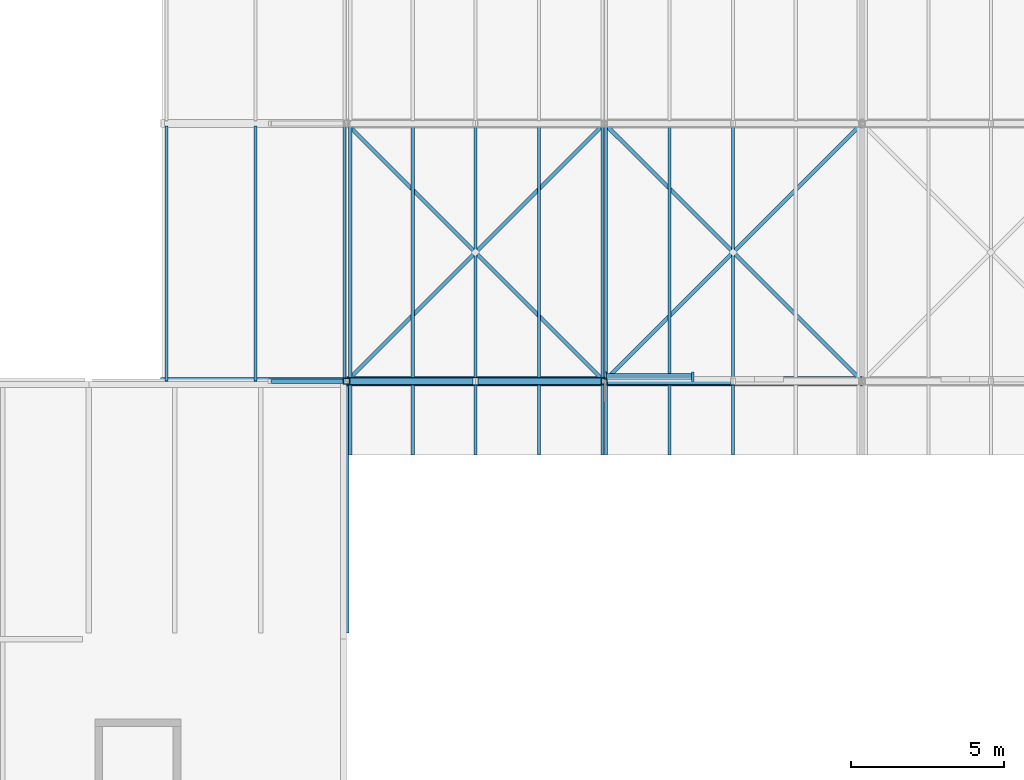
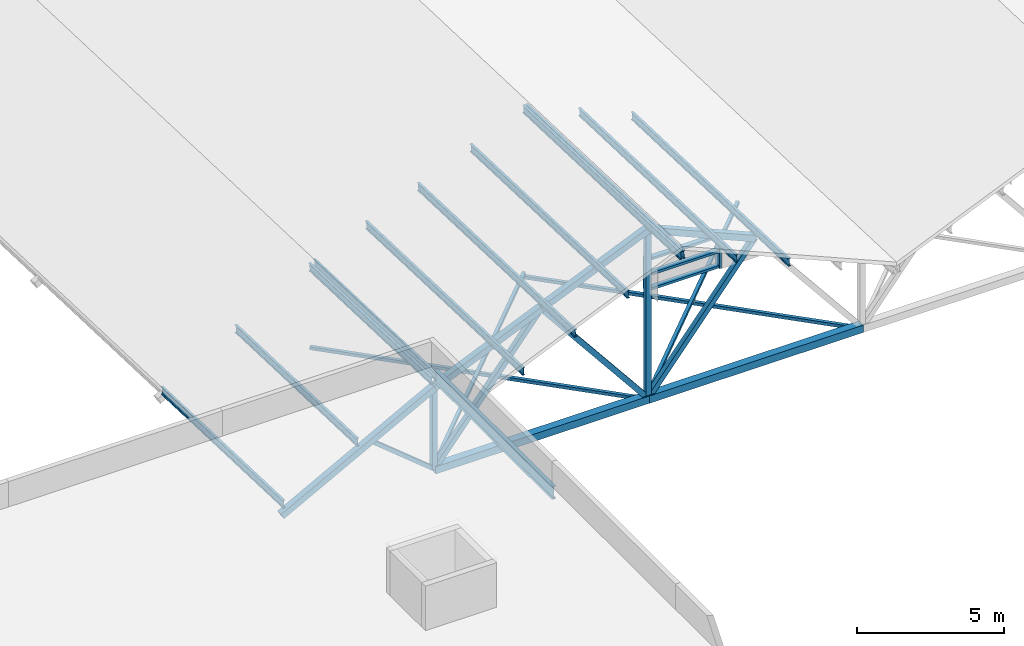
# One storey, part 9 of 76: 18 beams, 15 members, 1 element without a shape of its own.
"""IFC4 building model written with IfcOpenShell, lengths in metres."""

import ifcopenshell
import ifcopenshell.guid

model = None  # the IFC model being written
_history = None  # IfcOwnerHistory: only IFC2X3 demands one
_inside = {}  # id of a spatial element -> (the spatial element, [elements in it])
_under = {}  # id of a project, library or spatial element -> (it, [spatial elements below it])
_declared = {}  # id of a project -> (the project, [libraries it declares])
_typed = {}  # id of a type object -> (the type object, [elements of that type])
_made_of = {}  # id of a material, layer set ... -> (it, [elements and type objects made of it])


def new_model(schema):
    """Start an empty IFC model of exactly this schema.

    Asked for "IFC4X3", IfcOpenShell would pick the latest addendum, in which some entities
    have other attributes; the version numbers below select the first issue.
    IFC2X3 requires an IfcOwnerHistory on every rooted entity: one is made here for all.
    """
    global model, _history
    if schema == "IFC4X3":
        model = ifcopenshell.file(schema_version=(4, 3, 0, 0))
    else:
        model = ifcopenshell.file(schema=schema)
    _inside.clear()
    _under.clear()
    _declared.clear()
    _typed.clear()
    _made_of.clear()
    _history = None
    if model.schema == "IFC2X3":
        org = make("IfcOrganization", Name="unknown")
        user = make(
            "IfcPersonAndOrganization",
            ThePerson=make("IfcPerson", FamilyName="unknown"),
            TheOrganization=org,
        )
        app = make(
            "IfcApplication",
            ApplicationDeveloper=org,
            Version="unknown",
            ApplicationFullName="unknown",
            ApplicationIdentifier="unknown",
        )
        _history = make(
            "IfcOwnerHistory",
            OwningUser=user,
            OwningApplication=app,
            ChangeAction="ADDED",
            CreationDate=0,
        )
    return model


def make(cls, **values):
    """One entity of the class cls with the attributes given. An attribute that is None is left unset."""
    return model.create_entity(
        cls, **{name: value for name, value in values.items() if value is not None}
    )


def rooted(cls, **values):
    """An entity with a GlobalId (a new one), such as an element, a storey or a relation."""
    return make(cls, GlobalId=ifcopenshell.guid.new(), OwnerHistory=_history, **values)


def si_unit(unit_type, name, prefix=None):
    """IfcSIUnit, for example si_unit("LENGTHUNIT", "METRE", prefix="MILLI")."""
    return make("IfcSIUnit", UnitType=unit_type, Prefix=prefix, Name=name)


def assignment(units):
    """IfcUnitAssignment: the units of a project."""
    return None if units is None else make("IfcUnitAssignment", Units=units)


def point(xyz):
    """IfcCartesianPoint."""
    return None if xyz is None else make("IfcCartesianPoint", Coordinates=xyz)


def direction(xyz):
    """IfcDirection."""
    return None if xyz is None else make("IfcDirection", DirectionRatios=xyz)


def frame(location, z_axis=None, x_axis=None):
    """IfcAxis2Placement3D, a coordinate frame: its origin and axes. An axis left out is left unset."""
    return make(
        "IfcAxis2Placement3D",
        Location=point(location),
        Axis=direction(z_axis),
        RefDirection=direction(x_axis),
    )


def frame_2d(location, x_axis=None):
    """IfcAxis2Placement2D, a coordinate frame in the plane: its origin and x axis."""
    return make(
        "IfcAxis2Placement2D", Location=point(location), RefDirection=direction(x_axis)
    )


def origin():
    """The frame at (0, 0, 0) with its axes left unset."""
    return frame((0.0, 0.0, 0.0))


def origin_2d():
    """The frame at (0, 0) in the plane with its x axis left unset."""
    return frame_2d((0.0, 0.0))


def place(relative_to, where):
    """IfcLocalPlacement: puts the frame where relative to a parent placement (None: the world)."""
    return make(
        "IfcLocalPlacement", PlacementRelTo=relative_to, RelativePlacement=where
    )


def context(
    kind, dimensions, precision=None, world=None, true_north=None, identifier=None
):
    """IfcGeometricRepresentationContext, for example the 3D "Model" context."""
    return make(
        "IfcGeometricRepresentationContext",
        ContextIdentifier=identifier,
        ContextType=kind,
        CoordinateSpaceDimension=dimensions,
        Precision=precision,
        WorldCoordinateSystem=world,
        TrueNorth=true_north,
    )


def subcontext(parent, identifier, kind, view, scale=None):
    """IfcGeometricRepresentationSubContext, for example "Body" below "Model"."""
    return make(
        "IfcGeometricRepresentationSubContext",
        ContextIdentifier=identifier,
        ContextType=kind,
        ParentContext=parent,
        TargetScale=scale,
        TargetView=view,
    )


def project(units=None, contexts=None):
    """IfcProject with its units and contexts."""
    return rooted(
        "IfcProject",
        Name="project",
        RepresentationContexts=contexts,
        UnitsInContext=assignment(units),
    )


def spatial(cls, under=None, at=None, **own):
    """A site, building, storey or space (cls), placed at a placement, below another one or the project."""
    s = rooted(cls, ObjectPlacement=at, **own)
    if under is not None:
        _under.setdefault(under.id(), (under, []))[1].append(s)
    return s


def profile(cls, at=None, kind="AREA", **sizes):
    """A parametric profile (cls). Its sizes go by their IFC names, for example OverallWidth=200.0."""
    return make(cls, ProfileType=kind, Position=at, **sizes)


def rectangle(**sizes):
    """IfcRectangleProfileDef."""
    return profile("IfcRectangleProfileDef", **sizes)


def hollow_rectangle(**sizes):
    """IfcRectangleHollowProfileDef."""
    return profile("IfcRectangleHollowProfileDef", **sizes)


def i_section(**sizes):
    """IfcIShapeProfileDef."""
    return profile("IfcIShapeProfileDef", **sizes)


def extrude(swept, where, along, depth):
    """IfcExtrudedAreaSolid: the profile swept, set in the frame where, extruded along a direction by depth."""
    return make(
        "IfcExtrudedAreaSolid",
        SweptArea=swept,
        Position=where,
        ExtrudedDirection=direction(along),
        Depth=depth,
    )


def shape(context_of_items, identifier, shape_type, items):
    """IfcShapeRepresentation: the items that make up one representation, for example the "Body"."""
    return make(
        "IfcShapeRepresentation",
        ContextOfItems=context_of_items,
        RepresentationIdentifier=identifier,
        RepresentationType=shape_type,
        Items=items,
    )


def material(Name=None, Category=None):
    """IfcMaterial."""
    return make("IfcMaterial", Name=Name, Category=Category)


def material_profile(
    of_material, cross_section, Name=None, Category=None, Priority=None
):
    """IfcMaterialProfile: a cross section and its material."""
    return make(
        "IfcMaterialProfile",
        Name=Name,
        Material=of_material,
        Profile=cross_section,
        Priority=Priority,
        Category=Category,
    )


def profile_set(profiles, Name=None, composite=None):
    """IfcMaterialProfileSet."""
    return make(
        "IfcMaterialProfileSet",
        Name=Name,
        MaterialProfiles=profiles,
        CompositeProfile=composite,
    )


def made_of(thing, what):
    """Note that an element or type object is made of a material, layer set ...; save() writes the relation."""
    if what is not None:
        _made_of.setdefault(what.id(), (what, []))[1].append(thing)
    return thing


def type_object(cls, material=None, **own):
    """A type object (cls), such as IfcWallType, which elements share."""
    return made_of(rooted(cls, **own), material)


def element(
    cls,
    number,
    at=None,
    inside=None,
    cuts=None,
    type_object=None,
    material=None,
    context=None,
    identifier="Body",
    shape_type=None,
    held_by="IfcProductDefinitionShape",
    body=None,
    shapes=None,
    **own,
):
    """One element of the class cls, such as IfcWall. Its Tag is "e" and its number.

    at: its placement. inside: the storey or other place that contains it. cuts: it is an
    opening in that element (IfcRelVoidsElement). A single representation is given by context,
    identifier, shape_type and body (its items); several are given by shapes. held_by: the class
    of the entity that holds the representations. save() writes the other relations.
    """
    e = rooted(cls, Tag="e%d" % number, ObjectPlacement=at, **own)
    if body is not None:
        shapes = [shape(context, identifier, shape_type, body)]
    if shapes is not None:
        e.Representation = make(held_by, Representations=shapes)
    if inside is not None:
        _inside.setdefault(inside.id(), (inside, []))[1].append(e)
    if cuts is not None:
        rooted(
            "IfcRelVoidsElement", RelatingBuildingElement=cuts, RelatedOpeningElement=e
        )
    if type_object is not None:
        _typed.setdefault(type_object.id(), (type_object, []))[1].append(e)
    return made_of(e, material)


def aggregate(whole, parts):
    """IfcRelAggregates: a whole, such as a stair, and the parts it consists of."""
    return rooted("IfcRelAggregates", RelatingObject=whole, RelatedObjects=parts)


def save(model, path):
    """Write the relations noted so far, then the file.

    IfcRelAggregates (storeys below a building ...), IfcRelContainedInSpatialStructure (elements
    in a storey), IfcRelDefinesByType, IfcRelAssociatesMaterial and IfcRelDeclares: one each for
    every whole, place, type object, material and project.
    """
    for whole, parts in _under.values():
        aggregate(whole, parts)
    for where, things in _inside.values():
        rooted(
            "IfcRelContainedInSpatialStructure",
            RelatedElements=things,
            RelatingStructure=where,
        )
    for kind, things in _typed.values():
        rooted("IfcRelDefinesByType", RelatedObjects=things, RelatingType=kind)
    for what, things in _made_of.values():
        rooted("IfcRelAssociatesMaterial", RelatedObjects=things, RelatingMaterial=what)
    for by, libraries in _declared.values():
        rooted("IfcRelDeclares", RelatingContext=by, RelatedDefinitions=libraries)
    model.write(path)


model = new_model("IFC4")

# Units and contexts
model_context = context("Model", 3, precision=1e-05, world=origin(), true_north=direction((0.0, 1.0)))
body_context = subcontext(model_context, "Body", "Model", "MODEL_VIEW")
ifc_project = project(units=[si_unit("LENGTHUNIT", "METRE"), si_unit("AREAUNIT", "SQUARE_METRE"), si_unit("VOLUMEUNIT", "CUBIC_METRE"), si_unit("PLANEANGLEUNIT", "RADIAN"), si_unit("MASSUNIT", "GRAM", prefix="KILO")], contexts=[model_context])

# Site, building, storey
site_placement = place(None, origin())
site = spatial("IfcSite", under=ifc_project, at=site_placement, CompositionType="ELEMENT")
building_placement = place(site_placement, origin())
building = spatial("IfcBuilding", under=site, at=building_placement, Name="Hlaing Beacon Police Headquarters", CompositionType="ELEMENT")
storey_placement = place(building_placement, frame((0.0, 0.0, 18.89990234375)))
storey = spatial("IfcBuildingStorey", under=building, at=storey_placement, Name="L04", CompositionType="ELEMENT", Elevation=18.89990234375)

# Member
ifc_material_1 = material(Name="Steel ASTM A500 Grade C", Category="steel")
ifc_material_profile_1 = material_profile(ifc_material_1, hollow_rectangle(XDim=0.15234375, YDim=0.15234375, WallThickness=0.0126953125, at=origin_2d()), Name="HSS6x6x1/2")
ifc_profile_set_1 = profile_set([ifc_material_profile_1], Name="Steel ASTM A500 Grade C")
member_type_1 = type_object("IfcMemberType", Name="Eave strut HSS6x6x1/2", PredefinedType="BRACE", material=ifc_profile_set_1)
member_1_placement = place(storey_placement, frame((58.800048828125, 33.60009765625, -4.347412109375), z_axis=(-0.774816252663, 0.0, 0.632186503027), x_axis=(0.0, -1.0, 0.0)))
element("IfcMember", 1, at=member_1_placement, inside=storey, type_object=member_type_1, Name="STR-RT-V1-T1-ST01", PredefinedType="BRACE", context=body_context, shape_type="SweptSolid", body=[
    extrude(hollow_rectangle(XDim=0.15234375, YDim=0.15234375, WallThickness=0.0126953125, at=origin_2d()), origin(), (0.0, 0.0, 1.0), 3.2265625),
])

# Beam
ifc_material_2 = material(Name="Steel ASTM A992 Grade 50", Category="steel")
ifc_material_profile_2 = material_profile(ifc_material_2, i_section(OverallWidth=0.1650390625, OverallDepth=0.52587890625, WebThickness=0.0087890625, FlangeThickness=0.011474609375, FilletRadius=0.0126953125, at=origin_2d()), Name="W21x44")
ifc_profile_set_2 = profile_set([ifc_material_profile_2], Name="Steel ASTM A992 Grade 50")
beam_type_1 = type_object("IfcBeamType", Name="Girder W21x44", PredefinedType="BEAM", material=ifc_profile_set_2)
beam_1_placement = place(storey_placement, frame((58.800048828125, 25.39990234375, -0.392822265625), z_axis=(0.0, 1.0, 0.0), x_axis=(-1.0, 0.0, 0.0)))
element("IfcBeam", 2, at=beam_1_placement, inside=storey, type_object=beam_type_1, Name="STR-BM-L04-GY-H4-H5", PredefinedType="BEAM", context=body_context, shape_type="SweptSolid", body=[
    extrude(i_section(OverallWidth=0.1650390625, OverallDepth=0.52587890625, WebThickness=0.0087890625, FlangeThickness=0.011474609375, FilletRadius=0.0126953125, at=origin_2d()), origin(), (0.0, 0.0, 1.0), 8.023193359375),
])

# Curtain wall, members
ifc_material_3 = material(Name="Aluminium frame with solar control glazing", Category="aluminium")
curtain_wall_type = type_object("IfcCurtainWallType", Name="Structural glazed gable wall 2.92 x 1.35", PredefinedType="NOTDEFINED", material=ifc_material_3)
curtain_wall_placement = place(storey_placement, origin())
curtain_wall = element("IfcCurtainWall", 3, at=curtain_wall_placement, inside=storey, type_object=curtain_wall_type, Name="ENV-CW-L04-S001", PredefinedType="NOTDEFINED")
ifc_material_4 = material(Name="Aluminium", Category="aluminium")
ifc_material_profile_3 = material_profile(ifc_material_4, rectangle(XDim=0.300048828125, YDim=0.080078125, at=origin_2d()), Name="Mullion 80x300")
ifc_profile_set_3 = profile_set([ifc_material_profile_3], Name="Aluminium")
member_type_2 = type_object("IfcMemberType", Name="Mullion 80x300", PredefinedType="MULLION", material=ifc_profile_set_3)
member_2_placement = place(storey_placement, frame((67.239990234375, 33.75, 0.0), z_axis=(0.0, 0.0, 1.0), x_axis=(0.0, 1.0, 0.0)))
member_2 = element("IfcMember", 4, at=member_2_placement, type_object=member_type_2, Name="CW-L04-S001 mullion 1", PredefinedType="MULLION", context=body_context, shape_type="SweptSolid", body=[
    extrude(rectangle(XDim=0.300048828125, YDim=0.080078125, at=origin_2d()), origin(), (0.0, 0.0, 1.0), 1.35009765625),
])
member_3_placement = place(storey_placement, frame((70.07666015625, 33.75, 0.0), z_axis=(0.0, 0.0, 1.0), x_axis=(0.0, 1.0, 0.0)))
member_3 = element("IfcMember", 5, at=member_3_placement, type_object=member_type_2, Name="CW-L04-S001 mullion 2", PredefinedType="MULLION", context=body_context, shape_type="SweptSolid", body=[
    extrude(rectangle(XDim=0.300048828125, YDim=0.080078125, at=origin_2d()), origin(), (0.0, 0.0, 1.0), 1.35009765625),
])

# Members
ifc_material_5 = material(Name="Steel ASTM A500 Grade C", Category="steel")
ifc_material_profile_4 = material_profile(ifc_material_5, hollow_rectangle(XDim=0.126953125, YDim=0.126953125, WallThickness=0.009521484375, at=origin_2d()), Name="HSS5x5x3/8")
ifc_profile_set_4 = profile_set([ifc_material_profile_4], Name="Steel ASTM A500 Grade C")
member_type_3 = type_object("IfcMemberType", Name="Roof plan brace HSS5x5x3/8", PredefinedType="BRACE", material=ifc_profile_set_4)
for number, where, z_axis, x_axis, name in (
    (6, (58.800048828125, 33.60009765625, -4.27392578125), (0.707106781187, 0.707106781187, 0.0), (-0.707106781187, 0.707106781187, 0.0), "STR-RT-V1-WB01"),
    (7, (58.800048828125, 42.0, -4.4208984375), (0.707106781187, -0.707106781187, 0.0), (0.707106781187, 0.707106781187, 0.0), "STR-RT-V1-WB02"),
):
    element("IfcMember", number, at=place(storey_placement, frame(where, z_axis=z_axis, x_axis=x_axis)), inside=storey, type_object=member_type_3, Name=name, PredefinedType="BRACE", context=body_context, shape_type="SweptSolid", body=[
        extrude(hollow_rectangle(XDim=0.126953125, YDim=0.126953125, WallThickness=0.009521484375, at=origin_2d()), origin(), (0.0, 0.0, 1.0), 11.879150390625),
    ])
for number, where, z_axis, x_axis, name in (
    (8, (67.199951171875, 33.60009765625, -4.27392578125), (0.707117056885, 0.707096505339, 0.0), (-0.707096505339, 0.707117056885, 0.0), "STR-RT-V1-WB03"),
    (9, (67.199951171875, 42.0, -4.4208984375), (0.707117056885, -0.707096505339, 0.0), (0.707096505339, 0.707117056885, 0.0), "STR-RT-V1-WB04"),
):
    element("IfcMember", number, at=place(storey_placement, frame(where, z_axis=z_axis, x_axis=x_axis)), inside=storey, type_object=member_type_3, Name=name, PredefinedType="BRACE", context=body_context, shape_type="SweptSolid", body=[
        extrude(hollow_rectangle(XDim=0.126953125, YDim=0.126953125, WallThickness=0.009521484375, at=origin_2d()), origin(), (0.0, 0.0, 1.0), 11.87939453125),
    ])

# Beams
ifc_material_6 = material(Name="Steel ASTM A992 Grade 50", Category="steel")
ifc_material_profile_5 = material_profile(ifc_material_6, i_section(OverallWidth=0.102294921875, OverallDepth=0.3125, WebThickness=0.006591796875, FlangeThickness=0.0107421875, FilletRadius=0.007568359375, at=origin_2d()), Name="W12x22")
ifc_profile_set_5 = profile_set([ifc_material_profile_5], Name="Steel ASTM A992 Grade 50")
beam_type_2 = type_object("IfcBeamType", Name="Roof purlin W12x22", PredefinedType="BEAM", material=ifc_profile_set_5)
for number, where, z_axis, x_axis, name in (
    (10, (52.931640625, 33.60009765625, -3.78369140625), (0.0, 0.999362367992, -0.035705145864), (-1.0, 0.0, 0.0), "STR-RT-V1-PR-R1-01-1"),
    (11, (55.835205078125, 33.60009765625, -2.235107421875), (0.0, 0.999362367992, -0.035705145864), (-1.0, 0.0, 0.0), "STR-RT-V1-PR-R1-02-1"),
    (12, (58.73876953125, 33.60009765625, -0.6865234375), (0.0, 0.999362367992, -0.035705145864), (-1.0, 0.0, 0.0), "STR-RT-V1-PR-R1-03-1"),
):
    element("IfcBeam", number, at=place(storey_placement, frame(where, z_axis=z_axis, x_axis=x_axis)), inside=storey, type_object=beam_type_2, Name=name, PredefinedType="BEAM", context=body_context, shape_type="SweptSolid", body=[
        extrude(i_section(OverallWidth=0.102294921875, OverallDepth=0.3125, WebThickness=0.006591796875, FlangeThickness=0.0107421875, FilletRadius=0.007568359375, at=origin_2d()), origin(), (0.0, 0.0, 1.0), 8.314697265625),
    ])
for number, where, z_axis, x_axis, name in (
    (13, (58.920166015625, 31.199951171875, -0.504150390625), (0.0, 0.999362564096, -0.035699656635), (-1.0, 0.0, 0.0), "STR-RT-V1-PR-R2-01-1"),
    (14, (60.960205078125, 31.199951171875, 0.3701171875), (0.0, 0.99936175104, -0.035722409739), (-1.0, 0.0, 0.0), "STR-RT-V1-PR-R2-02-1"),
    (15, (63.0, 31.199951171875, 1.244384765625), (0.0, 0.99936175104, -0.035722409739), (-1.0, 0.0, 0.0), "STR-RT-V1-PR-R2-03-1"),
    (16, (65.0693359375, 31.199951171875, 2.131103515625), (0.0, 0.999362564096, -0.035699656635), (-1.0, 0.0, 0.0), "STR-RT-V1-PR-R2-04-1"),
    (17, (67.138916015625, 31.199951171875, 3.01806640625), (0.0, 0.999362564096, -0.035699656635), (-1.0, 0.0, 0.0), "STR-RT-V1-PR-R2-05-1"),
    (18, (67.26123046875, 31.199951171875, 3.01806640625), (0.0, 0.999362564096, -0.035699656635), (-1.0, 0.0, 0.0), "STR-RT-V1-PR-R3-01-1"),
    (19, (69.33056640625, 31.199951171875, 2.131103515625), (0.0, 0.999362564096, -0.035699656635), (-1.0, 0.0, 0.0), "STR-RT-V1-PR-R3-02-1"),
    (20, (71.39990234375, 31.199951171875, 1.244384765625), (0.0, 0.99936175104, -0.035722409739), (-1.0, 0.0, 0.0), "STR-RT-V1-PR-R3-03-1"),
):
    element("IfcBeam", number, at=place(storey_placement, frame(where, z_axis=z_axis, x_axis=x_axis)), inside=storey, type_object=beam_type_2, Name=name, PredefinedType="BEAM", context=body_context, shape_type="SweptSolid", body=[
        extrude(i_section(OverallWidth=0.102294921875, OverallDepth=0.3125, WebThickness=0.006591796875, FlangeThickness=0.0107421875, FilletRadius=0.007568359375, at=origin_2d()), origin(), (0.0, 0.0, 1.0), 10.71630859375),
    ])

# Member
ifc_material_7 = material(Name="Aluminium", Category="aluminium")
ifc_material_profile_6 = material_profile(ifc_material_7, rectangle(XDim=0.199951171875, YDim=0.10009765625, at=origin_2d()), Name="Transom 200x100")
ifc_profile_set_6 = profile_set([ifc_material_profile_6], Name="Aluminium")
member_type_4 = type_object("IfcMemberType", Name="Transom 200x100", PredefinedType="USERDEFINED", material=ifc_profile_set_6)
member_4_placement = place(storey_placement, frame((67.280029296875, 33.75, 0.050048828125), z_axis=(1.0, 0.0, 0.0), x_axis=(0.0, 1.0, 0.0)))
member_4 = element("IfcMember", 21, at=member_4_placement, type_object=member_type_4, Name="CW-L04-S001 transom 1.1", ObjectType="TRANSOM", PredefinedType="USERDEFINED", context=body_context, shape_type="SweptSolid", body=[
    extrude(rectangle(XDim=0.199951171875, YDim=0.10009765625, at=origin_2d()), origin(), (0.0, 0.0, 1.0), 2.756591796875),
])

member_5_placement = place(storey_placement, frame((67.280029296875, 33.75, 0.675048828125), z_axis=(1.0, 0.0, 0.0), x_axis=(0.0, 1.0, 0.0)))
member_5 = element("IfcMember", 22, at=member_5_placement, type_object=member_type_4, Name="CW-L04-S001 transom 1.2", ObjectType="TRANSOM", PredefinedType="USERDEFINED", context=body_context, shape_type="SweptSolid", body=[
    extrude(rectangle(XDim=0.199951171875, YDim=0.10009765625, at=origin_2d()), origin(), (0.0, 0.0, 1.0), 2.756591796875),
])

member_6_placement = place(storey_placement, frame((67.280029296875, 33.75, 1.300048828125), z_axis=(1.0, 0.0, 0.0), x_axis=(0.0, 1.0, 0.0)))
member_6 = element("IfcMember", 23, at=member_6_placement, type_object=member_type_4, Name="CW-L04-S001 transom 1.3", ObjectType="TRANSOM", PredefinedType="USERDEFINED", context=body_context, shape_type="SweptSolid", body=[
    extrude(rectangle(XDim=0.199951171875, YDim=0.10009765625, at=origin_2d()), origin(), (0.0, 0.0, 1.0), 2.756591796875),
])

aggregate(curtain_wall, [member_2, member_3, member_4, member_5, member_6])

# Beams
ifc_material_8 = material(Name="Steel ASTM A500 Grade C", Category="steel")
ifc_material_profile_7 = material_profile(ifc_material_8, hollow_rectangle(XDim=0.3046875, YDim=0.3046875, WallThickness=0.015869140625, at=origin_2d()), Name="HSS12x12x5/8")
ifc_profile_set_7 = profile_set([ifc_material_profile_7], Name="Steel ASTM A500 Grade C")
beam_type_3 = type_object("IfcBeamType", Name="Truss bottom chord HSS12x12x5/8", PredefinedType="BEAM", material=ifc_profile_set_7)
beam_2_placement = place(storey_placement, frame((58.800048828125, 33.60009765625, -4.347412109375), z_axis=(1.0, 0.0, 0.0), x_axis=(0.0, 1.0, 0.0)))
element("IfcBeam", 24, at=beam_2_placement, inside=storey, type_object=beam_type_3, Name="STR-RT-V1-T1-BC01", PredefinedType="BEAM", context=body_context, shape_type="SweptSolid", body=[
    extrude(hollow_rectangle(XDim=0.3046875, YDim=0.3046875, WallThickness=0.015869140625, at=origin_2d()), origin(), (0.0, 0.0, 1.0), 8.39990234375),
])
beam_3_placement = place(storey_placement, frame((67.199951171875, 33.60009765625, -4.347412109375), z_axis=(1.0, 0.0, 0.0), x_axis=(0.0, 1.0, 0.0)))
element("IfcBeam", 25, at=beam_3_placement, inside=storey, type_object=beam_type_3, Name="STR-RT-V1-T1-BC02", PredefinedType="BEAM", context=body_context, shape_type="SweptSolid", body=[
    extrude(hollow_rectangle(XDim=0.3046875, YDim=0.3046875, WallThickness=0.015869140625, at=origin_2d()), origin(), (0.0, 0.0, 1.0), 8.400146484375),
])

# Members
ifc_material_9 = material(Name="Steel ASTM A500 Grade C", Category="steel")
ifc_material_profile_8 = material_profile(ifc_material_9, hollow_rectangle(XDim=0.203125, YDim=0.203125, WallThickness=0.015869140625, at=origin_2d()), Name="HSS8x8x5/8")
ifc_profile_set_8 = profile_set([ifc_material_profile_8], Name="Steel ASTM A500 Grade C")
member_type_5 = type_object("IfcMemberType", Name="Truss post HSS8x8x5/8", PredefinedType="POST", material=ifc_profile_set_8)
member_7_placement = place(storey_placement, frame((58.800048828125, 33.60009765625, -4.347412109375), z_axis=(0.0, 0.0, 1.0), x_axis=(1.0, 0.0, 0.0)))
element("IfcMember", 26, at=member_7_placement, inside=storey, type_object=member_type_5, Name="STR-RT-V1-T1-PS01", PredefinedType="POST", context=body_context, shape_type="SweptSolid", body=[
    extrude(hollow_rectangle(XDim=0.203125, YDim=0.203125, WallThickness=0.015869140625, at=origin_2d()), origin(), (0.0, 0.0, 1.0), 3.378173828125),
])
member_8_placement = place(storey_placement, frame((67.199951171875, 33.60009765625, -4.347412109375), z_axis=(0.0, 0.0, 1.0), x_axis=(1.0, 0.0, 0.0)))
element("IfcMember", 27, at=member_8_placement, inside=storey, type_object=member_type_5, Name="STR-RT-V1-T1-PS02", PredefinedType="POST", context=body_context, shape_type="SweptSolid", body=[
    extrude(hollow_rectangle(XDim=0.203125, YDim=0.203125, WallThickness=0.015869140625, at=origin_2d()), origin(), (0.0, 0.0, 1.0), 7.001708984375),
])

# Beams
ifc_material_10 = material(Name="Steel ASTM A500 Grade C", Category="steel")
ifc_material_profile_9 = material_profile(ifc_material_10, hollow_rectangle(XDim=0.25390625, YDim=0.25390625, WallThickness=0.015869140625, at=origin_2d()), Name="HSS10x10x5/8")
ifc_profile_set_9 = profile_set([ifc_material_profile_9], Name="Steel ASTM A500 Grade C")
beam_type_4 = type_object("IfcBeamType", Name="Truss top chord HSS10x10x5/8", PredefinedType="BEAM", material=ifc_profile_set_9)
beam_4_placement = place(storey_placement, frame((52.800048828125, 33.60009765625, -4.180908203125), z_axis=(0.881639912586, 0.0, 0.47192273153), x_axis=(0.0, 1.0, 0.0)))
element("IfcBeam", 28, at=beam_4_placement, inside=storey, type_object=beam_type_4, Name="STR-RT-V1-T1-TC01", PredefinedType="BEAM", context=body_context, shape_type="SweptSolid", body=[
    extrude(hollow_rectangle(XDim=0.25390625, YDim=0.25390625, WallThickness=0.015869140625, at=origin_2d()), origin(), (0.0, 0.0, 1.0), 6.805419921875),
])
beam_5_placement = place(storey_placement, frame((58.800048828125, 33.60009765625, -0.96923828125), z_axis=(0.918228721405, 0.0, 0.396050521004), x_axis=(0.0, 1.0, 0.0)))
element("IfcBeam", 29, at=beam_5_placement, inside=storey, type_object=beam_type_4, Name="STR-RT-V1-T1-TC02", PredefinedType="BEAM", context=body_context, shape_type="SweptSolid", body=[
    extrude(hollow_rectangle(XDim=0.25390625, YDim=0.25390625, WallThickness=0.015869140625, at=origin_2d()), origin(), (0.0, 0.0, 1.0), 4.573974609375),
])
for number, where, z_axis, x_axis, name in (
    (30, (63.0, 33.60009765625, 0.84228515625), (0.918189896614, 0.0, 0.396140522739), (0.0, 1.0, 0.0), "STR-RT-V1-T1-TC03"),
    (31, (67.199951171875, 33.60009765625, 2.654296875), (0.918189896614, 0.0, -0.396140522739), (0.0, 1.0, 0.0), "STR-RT-V1-T1-TC04"),
):
    element("IfcBeam", number, at=place(storey_placement, frame(where, z_axis=z_axis, x_axis=x_axis)), inside=storey, type_object=beam_type_4, Name=name, PredefinedType="BEAM", context=body_context, shape_type="SweptSolid", body=[
        extrude(hollow_rectangle(XDim=0.25390625, YDim=0.25390625, WallThickness=0.015869140625, at=origin_2d()), origin(), (0.0, 0.0, 1.0), 4.57421875),
    ])

# Members
ifc_material_11 = material(Name="Steel ASTM A500 Grade C", Category="steel")
ifc_material_profile_10 = material_profile(ifc_material_11, hollow_rectangle(XDim=0.203125, YDim=0.203125, WallThickness=0.0126953125, at=origin_2d()), Name="HSS8x8x1/2")
ifc_profile_set_10 = profile_set([ifc_material_profile_10], Name="Steel ASTM A500 Grade C")
member_type_6 = type_object("IfcMemberType", Name="Truss web HSS8x8x1/2", PredefinedType="BRACE", material=ifc_profile_set_10)
for number, where, z_axis, x_axis, name in (
    (32, (58.800048828125, 33.60009765625, -4.347412109375), (0.629086713526, 0.0, 0.777335131629), (0.0, 1.0, 0.0), "STR-RT-V1-T1-DG01"),
    (33, (63.0, 33.60009765625, 0.84228515625), (0.629086713526, 0.0, -0.777335131629), (0.0, 1.0, 0.0), "STR-RT-V1-T1-DG02"),
    (34, (67.199951171875, 33.60009765625, -4.347412109375), (0.629086713526, 0.0, 0.777335131629), (0.0, 1.0, 0.0), "STR-RT-V1-T1-DG03"),
):
    element("IfcMember", number, at=place(storey_placement, frame(where, z_axis=z_axis, x_axis=x_axis)), inside=storey, type_object=member_type_6, Name=name, PredefinedType="BRACE", context=body_context, shape_type="SweptSolid", body=[
        extrude(hollow_rectangle(XDim=0.203125, YDim=0.203125, WallThickness=0.0126953125, at=origin_2d()), origin(), (0.0, 0.0, 1.0), 6.67626953125),
    ])

save(model, "model.ifc")
